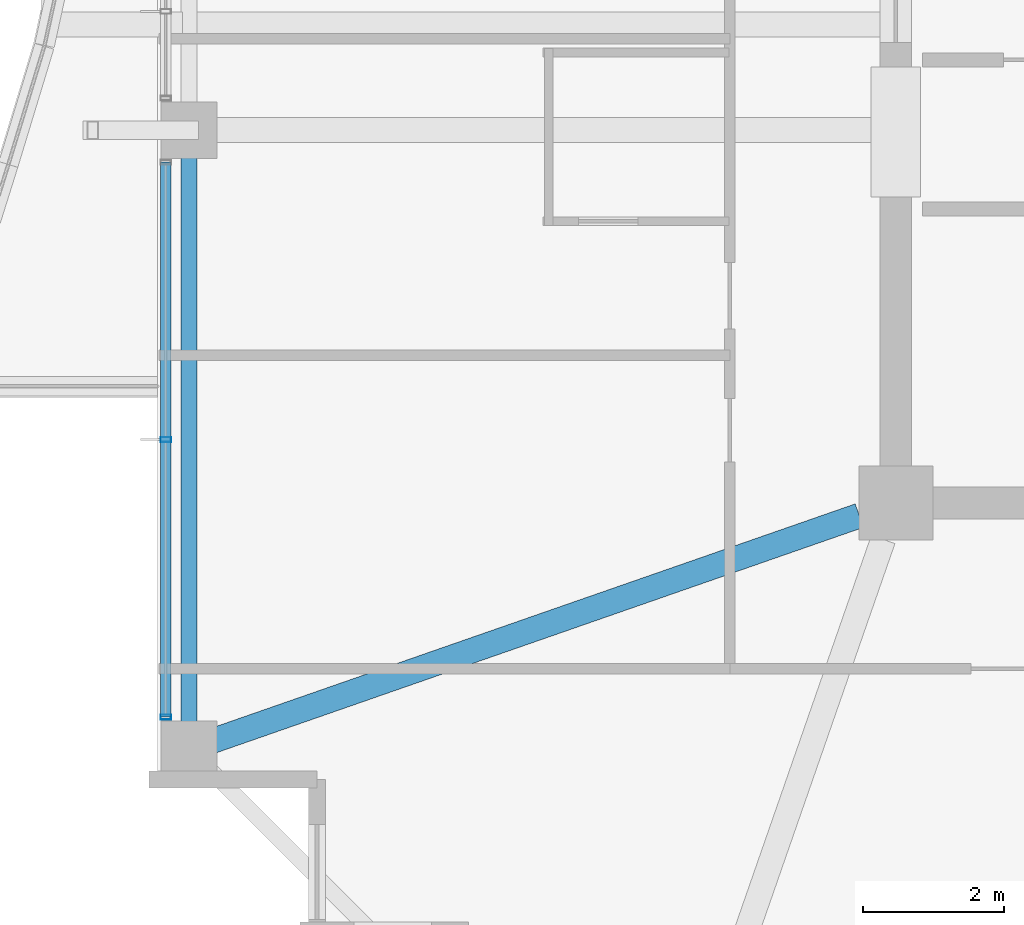
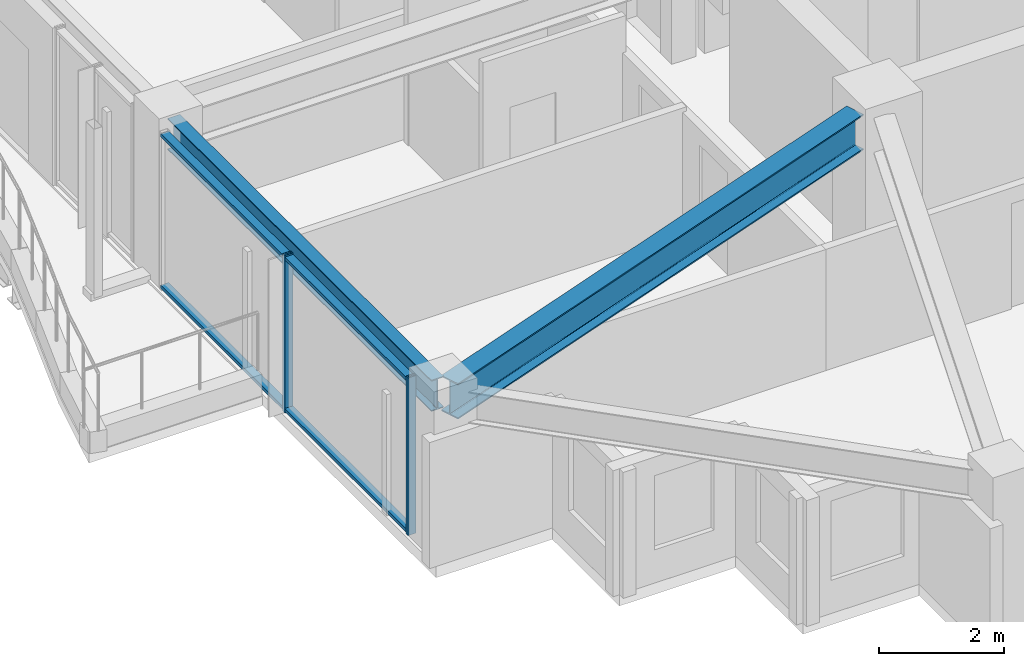
# One storey, part 3 of 35: 4 members, 2 beams, 1 element without a shape of its own.
"""IFC4 building model written with IfcOpenShell, lengths in metres."""

from ifc_helpers import new_model, si_unit, direction, frame, origin, origin_2d, place, context, subcontext, project, spatial, hollow_rectangle, i_section, extrude, material, material_profile, profile_set, type_object, element, aggregate, save


model = new_model("IFC4")

# Units and contexts
model_context = context("Model", 3, precision=1e-05, world=origin(), true_north=direction((0.0, 1.0)))
body_context = subcontext(model_context, "Body", "Model", "MODEL_VIEW")
ifc_project = project(units=[si_unit("LENGTHUNIT", "METRE"), si_unit("AREAUNIT", "SQUARE_METRE"), si_unit("VOLUMEUNIT", "CUBIC_METRE"), si_unit("PLANEANGLEUNIT", "RADIAN"), si_unit("MASSUNIT", "GRAM", prefix="KILO")], contexts=[model_context])

# Site, building, storey
site_placement = place(None, origin())
site = spatial("IfcSite", under=ifc_project, at=site_placement, CompositionType="ELEMENT")
building_placement = place(site_placement, origin())
building = spatial("IfcBuilding", under=site, at=building_placement, Name="Kolvaren Belvedere", CompositionType="ELEMENT")
storey_placement = place(building_placement, frame((0.0, 0.0, 216.300048828125)))
storey = spatial("IfcBuildingStorey", under=building, at=storey_placement, Name="L63", CompositionType="ELEMENT", Elevation=216.300048828125)

# Beams
ifc_material_1 = material(Name="Structural steel ASTM A992 Grade 50", Category="steel")
ifc_material_profile_1 = material_profile(ifc_material_1, i_section(OverallWidth=0.35498046875, OverallDepth=0.696044921875, WebThickness=0.015380859375, FlangeThickness=0.02490234375, FilletRadius=0.02197265625, at=origin_2d()), Name="W27X146")
ifc_profile_set_1 = profile_set([ifc_material_profile_1], Name="Structural steel ASTM A992 Grade 50")
beam_type_1 = type_object("IfcBeamType", Name="BM-GIRD-W27X146", PredefinedType="BEAM", material=ifc_profile_set_1)
beam_1_placement = place(storey_placement, frame((-10.41943359375, -10.080810546875, 2.73193359375), z_axis=(-0.944365399758, -0.328898147971, 0.0), x_axis=(0.328898147971, -0.944365399758, 0.0)))
element("IfcBeam", 1, at=beam_1_placement, inside=storey, type_object=beam_type_1, Name="L63 Corner Core-to-Perimeter Girder CC1-W1", PredefinedType="BEAM", context=body_context, shape_type="SweptSolid", body=[
    extrude(i_section(OverallWidth=0.35498046875, OverallDepth=0.696044921875, WebThickness=0.015380859375, FlangeThickness=0.02490234375, FilletRadius=0.02197265625, at=origin_2d()), origin(), (0.0, 0.0, 1.0), 9.931884765625),
])
ifc_material_2 = material(Name="Structural steel ASTM A992 Grade 50", Category="steel")
ifc_material_profile_2 = material_profile(ifc_material_2, i_section(OverallWidth=0.22900390625, OverallDepth=0.612060546875, WebThickness=0.011962890625, FlangeThickness=0.01953125, FilletRadius=0.01806640625, at=origin_2d()), Name="W24X84")
ifc_profile_set_2 = profile_set([ifc_material_profile_2], Name="Structural steel ASTM A992 Grade 50")
beam_type_2 = type_object("IfcBeamType", Name="BM-SPAN-W24X84", PredefinedType="SPANDREL", material=ifc_profile_set_2)
beam_2_placement = place(storey_placement, frame((-19.949951171875, -4.780029296875, 2.77392578125), z_axis=(0.0, -1.0, 0.0), x_axis=(1.0, 0.0, 0.0)))
element("IfcBeam", 2, at=beam_2_placement, inside=storey, type_object=beam_type_2, Name="L63 Perimeter Spandrel W2-W1", PredefinedType="SPANDREL", context=body_context, shape_type="SweptSolid", body=[
    extrude(i_section(OverallWidth=0.22900390625, OverallDepth=0.612060546875, WebThickness=0.011962890625, FlangeThickness=0.01953125, FilletRadius=0.01806640625, at=origin_2d()), origin(), (0.0, 0.0, 1.0), 8.43994140625),
])

# Curtain wall, members
ifc_material_3 = material(Name="Anodised pale-metal aluminium AA 6063-T6", Category="aluminium")
curtain_wall_type = type_object("IfcCurtainWallType", Name="CW-Z5-HIGH", PredefinedType="NOTDEFINED", material=ifc_material_3)
curtain_wall_placement = place(storey_placement, origin())
curtain_wall = element("IfcCurtainWall", 3, at=curtain_wall_placement, inside=storey, type_object=curtain_wall_type, Name="L63 Unitised Curtain Wall FCW-L63-W1-B1", PredefinedType="NOTDEFINED")
ifc_material_4 = material(Name="Anodised pale-metal aluminium AA 6063-T6", Category="aluminium")
ifc_material_profile_3 = material_profile(ifc_material_4, hollow_rectangle(XDim=0.070068359375, YDim=0.14990234375, WallThickness=0.004150390625, at=origin_2d()), Name="ALU-MUL-150X70")
ifc_profile_set_3 = profile_set([ifc_material_profile_3], Name="Anodised pale-metal aluminium AA 6063-T6")
member_type_1 = type_object("IfcMemberType", Name="CW-MUL-150", PredefinedType="MULLION", material=ifc_profile_set_3)
member_1_placement = place(storey_placement, frame((-20.280029296875, -12.945068359375, 0.0), z_axis=(0.0, 0.0, 1.0), x_axis=(0.0, 1.0, 0.0)))
member_1 = element("IfcMember", 4, at=member_1_placement, type_object=member_type_1, Name="FCW-L63-W1-B1 Unitised Mullion 1", PredefinedType="MULLION", context=body_context, shape_type="SweptSolid", body=[
    extrude(hollow_rectangle(XDim=0.070068359375, YDim=0.14990234375, WallThickness=0.004150390625, at=origin_2d()), origin(), (0.0, 0.0, 1.0), 3.079833984375),
])
member_2_placement = place(storey_placement, frame((-20.280029296875, -9.0, 0.0), z_axis=(0.0, 0.0, 1.0), x_axis=(0.0, 1.0, 0.0)))
member_2 = element("IfcMember", 5, at=member_2_placement, type_object=member_type_1, Name="FCW-L63-W1-B1 Unitised Mullion 2", PredefinedType="MULLION", context=body_context, shape_type="SweptSolid", body=[
    extrude(hollow_rectangle(XDim=0.070068359375, YDim=0.14990234375, WallThickness=0.004150390625, at=origin_2d()), origin(), (0.0, 0.0, 1.0), 3.079833984375),
])
ifc_material_5 = material(Name="Anodised pale-metal aluminium AA 6063-T6", Category="aluminium")
ifc_material_profile_4 = material_profile(ifc_material_5, hollow_rectangle(XDim=0.06494140625, YDim=0.14990234375, WallThickness=0.00390625, at=origin_2d()), Name="ALU-TRN-150X65")
ifc_profile_set_4 = profile_set([ifc_material_profile_4], Name="Anodised pale-metal aluminium AA 6063-T6")
member_type_2 = type_object("IfcMemberType", Name="CW-TRN-150", PredefinedType="USERDEFINED", material=ifc_profile_set_4)
member_3_placement = place(storey_placement, frame((-20.280029296875, -12.945068359375, 0.06005859375), z_axis=(0.0, 1.0, 0.0), x_axis=(0.0, 0.0, 1.0)))
member_3 = element("IfcMember", 6, at=member_3_placement, type_object=member_type_2, Name="FCW-L63-W1-B1 Sill Transom", ObjectType="TRANSOM", PredefinedType="USERDEFINED", context=body_context, shape_type="SweptSolid", body=[
    extrude(hollow_rectangle(XDim=0.06494140625, YDim=0.14990234375, WallThickness=0.00390625, at=origin_2d()), origin(), (0.0, 0.0, 1.0), 7.89013671875),
])
member_4_placement = place(storey_placement, frame((-20.280029296875, -12.945068359375, 3.02001953125), z_axis=(0.0, 1.0, 0.0), x_axis=(0.0, 0.0, 1.0)))
member_4 = element("IfcMember", 7, at=member_4_placement, type_object=member_type_2, Name="FCW-L63-W1-B1 Head Transom", ObjectType="TRANSOM", PredefinedType="USERDEFINED", context=body_context, shape_type="SweptSolid", body=[
    extrude(hollow_rectangle(XDim=0.06494140625, YDim=0.14990234375, WallThickness=0.00390625, at=origin_2d()), origin(), (0.0, 0.0, 1.0), 7.89013671875),
])
aggregate(curtain_wall, [member_1, member_2, member_3, member_4])

save(model, "model.ifc")
